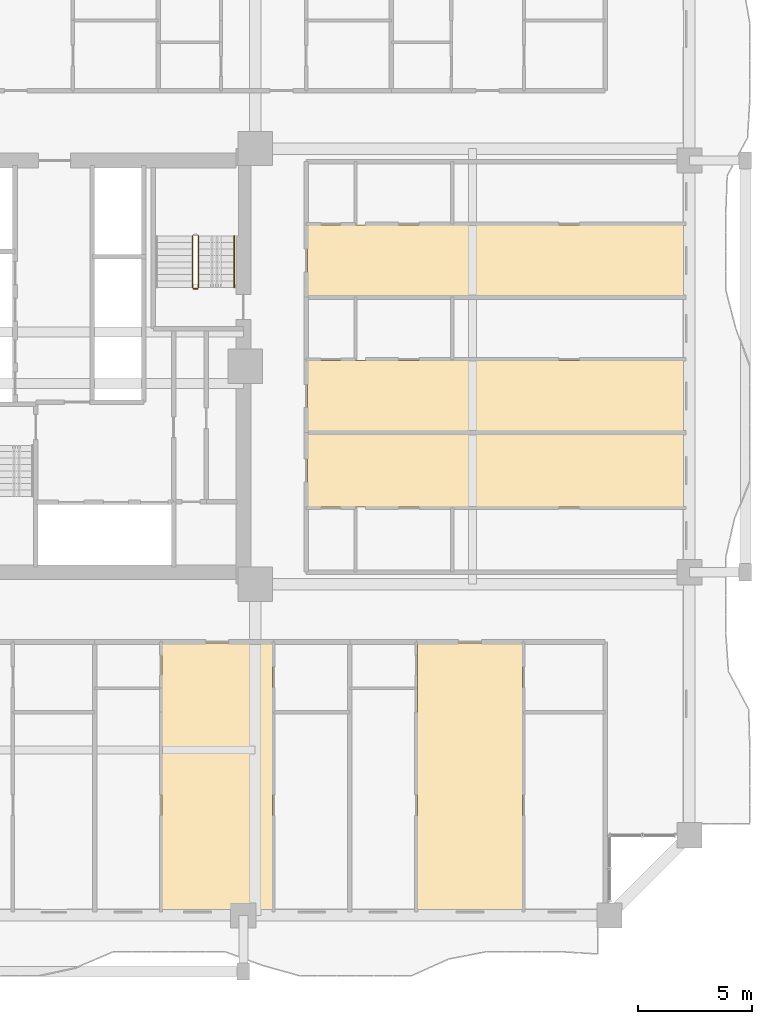
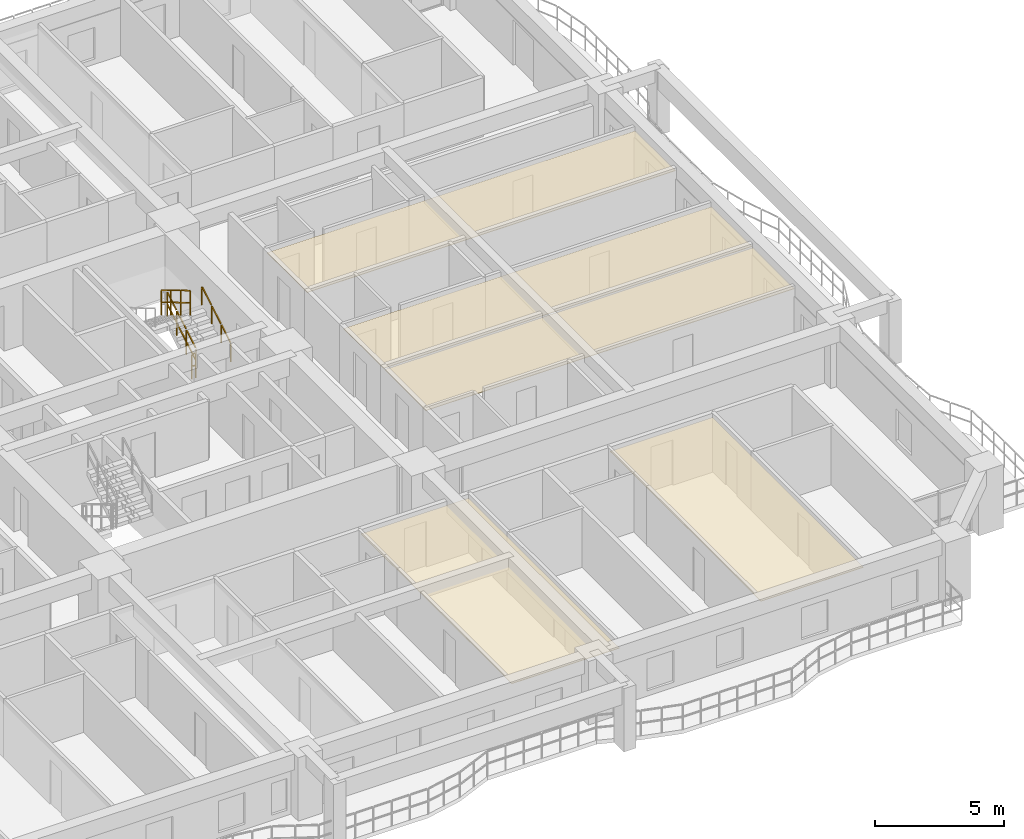
# One storey, part 25 of 27: 5 coverings, 4 railings.
"""IFC4 building model written with IfcOpenShell, lengths in metres."""

from ifc_helpers import new_model, si_unit, direction, frame, origin, origin_2d, place, context, subcontext, project, spatial, polyline, rectangle, outline, extrude, material, layer, layer_set, type_object, element, save


model = new_model("IFC4")

# Units and contexts
model_context = context("Model", 3, precision=1e-05, world=origin(), true_north=direction((0.0, 1.0)))
body_context = subcontext(model_context, "Body", "Model", "MODEL_VIEW")
ifc_project = project(units=[si_unit("LENGTHUNIT", "METRE"), si_unit("AREAUNIT", "SQUARE_METRE"), si_unit("VOLUMEUNIT", "CUBIC_METRE"), si_unit("PLANEANGLEUNIT", "RADIAN"), si_unit("MASSUNIT", "GRAM", prefix="KILO")], contexts=[model_context])

# Site, building, storey
site_placement = place(None, origin())
site = spatial("IfcSite", under=ifc_project, at=site_placement, CompositionType="ELEMENT")
building_placement = place(site_placement, origin())
building = spatial("IfcBuilding", under=site, at=building_placement, Name="Saelheon Loggia Tower", CompositionType="ELEMENT")
storey_placement = place(building_placement, frame((0.0, 0.0, 43.39990234375)))
storey = spatial("IfcBuildingStorey", under=building, at=storey_placement, Name="L13", CompositionType="ELEMENT", Elevation=43.39990234375)

# Coverings
ifc_material_1 = material(Name="Mineral-Fibre Acoustic Ceiling Board", Category="gypsum")
ifc_layer = layer(ifc_material_1, 0.02490234375)
ifc_layer_set = layer_set([ifc_layer], Name="Mineral-Fibre Acoustic Ceiling Board")
covering_type = type_object("IfcCoveringType", Name="Cov_Ceiling_Acoustic", PredefinedType="CEILING", material=ifc_layer_set)
covering_1_placement = place(storey_placement, frame((0.0, 0.0, 2.53515625)))
element("IfcCovering", 1, at=covering_1_placement, inside=storey, type_object=covering_type, Name="L13 Acoustic Suspended Ceiling", PredefinedType="CEILING", context=body_context, shape_type="SweptSolid", body=[
    extrude(outline(polyline([(40.95166015625, 3.199951171875), (45.77001953125, 3.199951171875), (45.77001953125, 14.89990234375), (40.95166015625, 14.89990234375), (40.95166015625, 3.199951171875)])), origin(), (0.0, 0.0, 1.0), 0.02490234375),
])
covering_2_placement = place(storey_placement, frame((0.0, 0.0, 2.53515625)))
element("IfcCovering", 2, at=covering_2_placement, inside=storey, type_object=covering_type, Name="L13 Acoustic Suspended Ceiling", PredefinedType="CEILING", context=body_context, shape_type="SweptSolid", body=[
    extrude(outline(polyline([(52.111572265625, 3.199951171875), (56.69873046875, 3.199951171875), (56.69873046875, 14.89990234375), (52.111572265625, 14.89990234375), (52.111572265625, 3.199951171875)])), origin(), (0.0, 0.0, 1.0), 0.02490234375),
])
covering_3_placement = place(storey_placement, frame((0.0, 0.0, 2.53515625)))
element("IfcCovering", 3, at=covering_3_placement, inside=storey, type_object=covering_type, Name="L13 Acoustic Suspended Ceiling", PredefinedType="CEILING", context=body_context, shape_type="SweptSolid", body=[
    extrude(outline(polyline([(47.300048828125, 20.857421875), (63.800048828125, 20.857421875), (63.800048828125, 24.052978515625), (47.300048828125, 24.052978515625), (47.300048828125, 20.857421875)])), origin(), (0.0, 0.0, 1.0), 0.02490234375),
])
covering_4_placement = place(storey_placement, frame((0.0, 0.0, 2.53515625)))
element("IfcCovering", 4, at=covering_4_placement, inside=storey, type_object=covering_type, Name="L13 Acoustic Suspended Ceiling", PredefinedType="CEILING", context=body_context, shape_type="SweptSolid", body=[
    extrude(outline(polyline([(47.300048828125, 24.153076171875), (63.800048828125, 24.153076171875), (63.800048828125, 27.251708984375), (47.300048828125, 27.251708984375), (47.300048828125, 24.153076171875)])), origin(), (0.0, 0.0, 1.0), 0.02490234375),
])
covering_5_placement = place(storey_placement, frame((0.0, 0.0, 2.53515625)))
element("IfcCovering", 5, at=covering_5_placement, inside=storey, type_object=covering_type, Name="L13 Acoustic Suspended Ceiling", PredefinedType="CEILING", context=body_context, shape_type="SweptSolid", body=[
    extrude(outline(polyline([(47.300048828125, 30.076416015625), (63.800048828125, 30.076416015625), (63.800048828125, 33.17529296875), (47.300048828125, 33.17529296875), (47.300048828125, 30.076416015625)])), origin(), (0.0, 0.0, 1.0), 0.02490234375),
])

# Railings
ifc_material_2 = material(Name="Galvanised Steel S275 Stairwell Guardrail", Category="steel")
railing_type_1 = type_object("IfcRailingType", Name="Guard_StairWell_RL_STG", PredefinedType="GUARDRAIL", material=ifc_material_2)
railing_1_placement = place(storey_placement, frame((42.5400390625, 30.449951171875, 0.166748046875)))
element("IfcRailing", 6, at=railing_1_placement, inside=storey, type_object=railing_type_1, Name="L13 ST2 stair guard 1", PredefinedType="GUARDRAIL", context=body_context, shape_type="SweptSolid", body=[
    extrude(rectangle(XDim=0.048095703125, YDim=0.048095703125, at=origin_2d()), frame((0.0, 0.028564453125, 1.19287109375), z_axis=(0.0, 0.859305625298, 0.511462454469), x_axis=(-1.0, 0.0, 0.0)), (0.0, 0.0, 1.0), 0.802490234375),
    extrude(rectangle(XDim=0.048095703125, YDim=0.048095703125, at=origin_2d()), frame((0.0, 0.028564453125, 0.616943359375), z_axis=(0.0, 0.859305625298, 0.511462454469), x_axis=(-1.0, 0.0, 0.0)), (0.0, 0.0, 1.0), 0.802490234375),
    extrude(rectangle(XDim=0.048095703125, YDim=0.048095703125, at=origin_2d()), frame((0.0, 0.775146484375, 1.63720703125), z_axis=(0.0, 0.859305625298, 0.511462454469), x_axis=(-1.0, 0.0, 0.0)), (0.0, 0.0, 1.0), 0.802490234375),
    extrude(rectangle(XDim=0.048095703125, YDim=0.048095703125, at=origin_2d()), frame((0.0, 0.775146484375, 1.061279296875), z_axis=(0.0, 0.859305625298, 0.511462454469), x_axis=(-1.0, 0.0, 0.0)), (0.0, 0.0, 1.0), 0.802490234375),
    extrude(rectangle(XDim=0.048095703125, YDim=0.048095703125, at=origin_2d()), frame((0.0, 1.52197265625, 2.081787109375), z_axis=(0.0, 0.859305625298, 0.511462454469), x_axis=(-1.0, 0.0, 0.0)), (0.0, 0.0, 1.0), 0.802490234375),
    extrude(rectangle(XDim=0.048095703125, YDim=0.048095703125, at=origin_2d()), frame((0.0, 1.52197265625, 1.505859375), z_axis=(0.0, 0.859305625298, 0.511462454469), x_axis=(-1.0, 0.0, 0.0)), (0.0, 0.0, 1.0), 0.802490234375),
    extrude(rectangle(XDim=0.0419921875, YDim=0.0419921875, at=origin_2d()), origin(), (0.0, 0.0, 1.0), 1.14794921875),
    extrude(rectangle(XDim=0.0419921875, YDim=0.0419921875, at=origin_2d()), frame((0.0, 0.74658203125, 0.4443359375)), (0.0, 0.0, 1.0), 1.14794921875),
    extrude(rectangle(XDim=0.0419921875, YDim=0.0419921875, at=origin_2d()), frame((0.0, 1.493408203125, 0.888916015625)), (0.0, 0.0, 1.0), 1.14794921875),
    extrude(rectangle(XDim=0.0419921875, YDim=0.0419921875, at=origin_2d()), frame((0.0, 2.239990234375, 1.333251953125)), (0.0, 0.0, 1.0), 1.14794921875),
])
railing_2_placement = place(storey_placement, frame((42.280029296875, 32.68994140625, 1.666748046875)))
element("IfcRailing", 7, at=railing_2_placement, inside=storey, type_object=railing_type_1, Name="L13 ST2 stair guard 3", PredefinedType="GUARDRAIL", context=body_context, shape_type="SweptSolid", body=[
    extrude(rectangle(XDim=0.048095703125, YDim=0.048095703125, at=origin_2d()), frame((0.0, -0.028564453125, 1.19287109375), z_axis=(0.0, -0.859305625298, 0.511462454469), x_axis=(1.0, 0.0, 0.0)), (0.0, 0.0, 1.0), 0.802490234375),
    extrude(rectangle(XDim=0.048095703125, YDim=0.048095703125, at=origin_2d()), frame((0.0, -0.028564453125, 0.616943359375), z_axis=(0.0, -0.859305625298, 0.511462454469), x_axis=(1.0, 0.0, 0.0)), (0.0, 0.0, 1.0), 0.802490234375),
    extrude(rectangle(XDim=0.048095703125, YDim=0.048095703125, at=origin_2d()), frame((0.0, -0.775146484375, 1.63720703125), z_axis=(0.0, -0.859305625298, 0.511462454469), x_axis=(1.0, 0.0, 0.0)), (0.0, 0.0, 1.0), 0.802490234375),
    extrude(rectangle(XDim=0.048095703125, YDim=0.048095703125, at=origin_2d()), frame((0.0, -0.775146484375, 1.061279296875), z_axis=(0.0, -0.859305625298, 0.511462454469), x_axis=(1.0, 0.0, 0.0)), (0.0, 0.0, 1.0), 0.802490234375),
    extrude(rectangle(XDim=0.048095703125, YDim=0.048095703125, at=origin_2d()), frame((0.0, -1.52197265625, 2.081787109375), z_axis=(0.0, -0.859305625298, 0.511462454469), x_axis=(1.0, 0.0, 0.0)), (0.0, 0.0, 1.0), 0.802490234375),
    extrude(rectangle(XDim=0.048095703125, YDim=0.048095703125, at=origin_2d()), frame((0.0, -1.52197265625, 1.505859375), z_axis=(0.0, -0.859305625298, 0.511462454469), x_axis=(1.0, 0.0, 0.0)), (0.0, 0.0, 1.0), 0.802490234375),
    extrude(rectangle(XDim=0.0419921875, YDim=0.0419921875, at=origin_2d()), origin(), (0.0, 0.0, 1.0), 1.14794921875),
    extrude(rectangle(XDim=0.0419921875, YDim=0.0419921875, at=origin_2d()), frame((0.0, -0.74658203125, 0.4443359375)), (0.0, 0.0, 1.0), 1.14794921875),
    extrude(rectangle(XDim=0.0419921875, YDim=0.0419921875, at=origin_2d()), frame((0.0, -1.493408203125, 0.888916015625)), (0.0, 0.0, 1.0), 1.14794921875),
    extrude(rectangle(XDim=0.0419921875, YDim=0.0419921875, at=origin_2d()), frame((0.0, -2.239990234375, 1.333251953125)), (0.0, 0.0, 1.0), 1.14794921875),
])
railing_3_placement = place(storey_placement, frame((42.489990234375, 30.39990234375, 0.0)))
element("IfcRailing", 8, at=railing_3_placement, inside=storey, type_object=railing_type_1, Name="L13 ST2 stair guard 4", PredefinedType="GUARDRAIL", context=body_context, shape_type="SweptSolid", body=[
    extrude(rectangle(XDim=0.048095703125, YDim=0.048095703125, at=origin_2d()), frame((-0.033203125, 0.0, 1.17578125), z_axis=(-1.0, 0.0, 0.0), x_axis=(0.0, -1.0, 0.0)), (0.0, 0.0, 1.0), 0.093505859375),
    extrude(rectangle(XDim=0.048095703125, YDim=0.048095703125, at=origin_2d()), frame((-0.033203125, 0.0, 0.60009765625), z_axis=(-1.0, 0.0, 0.0), x_axis=(0.0, -1.0, 0.0)), (0.0, 0.0, 1.0), 0.093505859375),
    extrude(rectangle(XDim=0.0419921875, YDim=0.0419921875, at=origin_2d()), origin(), (0.0, 0.0, 1.0), 1.14794921875),
    extrude(rectangle(XDim=0.0419921875, YDim=0.0419921875, at=origin_2d()), frame((-0.159912109375, 0.0, 0.0)), (0.0, 0.0, 1.0), 1.14794921875),
])
ifc_material_3 = material(Name="Stainless Steel 304 Tubular Handrail", Category="steel")
railing_type_2 = type_object("IfcRailingType", Name="Handrail_Stair_RL_HR1", PredefinedType="HANDRAIL", material=ifc_material_3)
railing_4_placement = place(storey_placement, frame((44.10009765625, 30.449951171875, 0.166748046875)))
element("IfcRailing", 9, at=railing_4_placement, inside=storey, type_object=railing_type_2, Name="L13 ST2 stair handrail 1", PredefinedType="HANDRAIL", context=body_context, shape_type="SweptSolid", body=[
    extrude(rectangle(XDim=0.048095703125, YDim=0.048095703125, at=origin_2d()), frame((0.0, 0.028564453125, 0.892822265625), z_axis=(0.0, 0.859305625298, 0.511462454469), x_axis=(-1.0, 0.0, 0.0)), (0.0, 0.0, 1.0), 0.802490234375),
    extrude(rectangle(XDim=0.048095703125, YDim=0.048095703125, at=origin_2d()), frame((0.0, 0.775146484375, 1.337158203125), z_axis=(0.0, 0.859305625298, 0.511462454469), x_axis=(-1.0, 0.0, 0.0)), (0.0, 0.0, 1.0), 0.802490234375),
    extrude(rectangle(XDim=0.048095703125, YDim=0.048095703125, at=origin_2d()), frame((0.0, 1.52197265625, 1.78173828125), z_axis=(0.0, 0.859305625298, 0.511462454469), x_axis=(-1.0, 0.0, 0.0)), (0.0, 0.0, 1.0), 0.802490234375),
    extrude(rectangle(XDim=0.0419921875, YDim=0.0419921875, at=origin_2d()), origin(), (0.0, 0.0, 1.0), 0.847900390625),
    extrude(rectangle(XDim=0.0419921875, YDim=0.0419921875, at=origin_2d()), frame((0.0, 0.74658203125, 0.4443359375)), (0.0, 0.0, 1.0), 0.847900390625),
    extrude(rectangle(XDim=0.0419921875, YDim=0.0419921875, at=origin_2d()), frame((0.0, 1.493408203125, 0.888916015625)), (0.0, 0.0, 1.0), 0.847900390625),
    extrude(rectangle(XDim=0.0419921875, YDim=0.0419921875, at=origin_2d()), frame((0.0, 2.239990234375, 1.333251953125)), (0.0, 0.0, 1.0), 0.847900390625),
])

save(model, "model.ifc")
